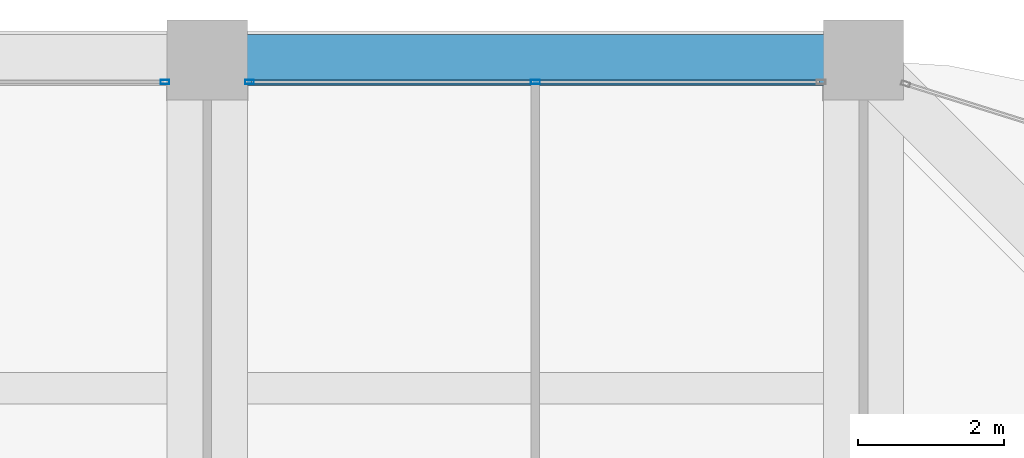
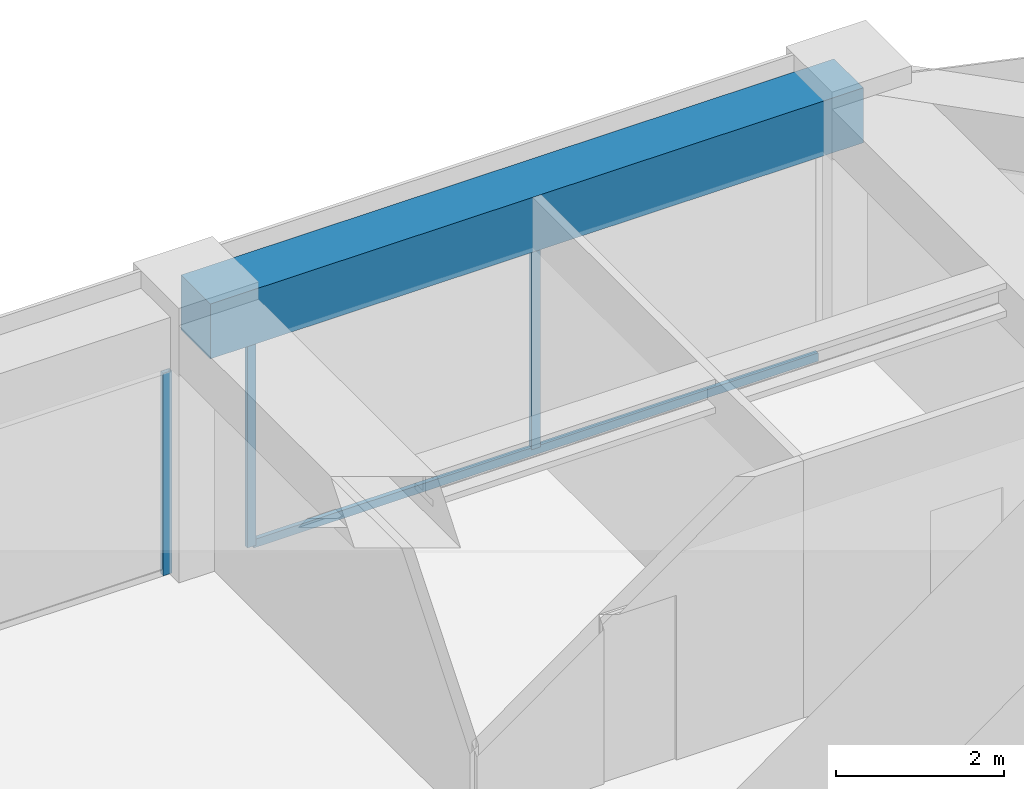
# One storey, part 35 of 44: 4 members, 1 beam, 2 elements without a shape of their own.
"""IFC4 building model written with IfcOpenShell, lengths in metres."""

from ifc_helpers import new_model, si_unit, direction, frame, origin, origin_2d, place, context, subcontext, project, spatial, rectangle, hollow_rectangle, extrude, material, material_profile, profile_set, type_object, element, aggregate, save


model = new_model("IFC4")

# Units and contexts
model_context = context("Model", 3, precision=1e-05, world=origin(), true_north=direction((0.0, 1.0)))
body_context = subcontext(model_context, "Body", "Model", "MODEL_VIEW")
ifc_project = project(units=[si_unit("LENGTHUNIT", "METRE"), si_unit("AREAUNIT", "SQUARE_METRE"), si_unit("VOLUMEUNIT", "CUBIC_METRE"), si_unit("PLANEANGLEUNIT", "RADIAN"), si_unit("MASSUNIT", "GRAM", prefix="KILO")], contexts=[model_context])

# Site, building, storey
site_placement = place(None, origin())
site = spatial("IfcSite", under=ifc_project, at=site_placement, CompositionType="ELEMENT")
building_placement = place(site_placement, origin())
building = spatial("IfcBuilding", under=site, at=building_placement, Name="Zorevar Civic Tower", CompositionType="ELEMENT")
storey_placement = place(building_placement, frame((0.0, 0.0, 283.39990234375)))
storey = spatial("IfcBuildingStorey", under=building, at=storey_placement, Name="L69", CompositionType="ELEMENT", Elevation=283.39990234375)

# Curtain wall, member
ifc_material_1 = material(Name="Dark grey solar-control glass in black aluminium frame", Category="aluminium")
curtain_wall_type = type_object("IfcCurtainWallType", Name="Curtain wall CW5 top zone", PredefinedType="NOTDEFINED", material=ifc_material_1)
curtain_wall_1_placement = place(storey_placement, origin())
curtain_wall_1 = element("IfcCurtainWall", 1, at=curtain_wall_1_placement, inside=storey, type_object=curtain_wall_type, Name="CW5 L69", PredefinedType="NOTDEFINED")
ifc_material_2 = material(Name="Aluminium, black anodised", Category="aluminium")
ifc_material_profile_1 = material_profile(ifc_material_2, hollow_rectangle(XDim=0.06005859375, YDim=0.1201171875, WallThickness=0.0029296875, at=origin_2d()), Name="AL 120x60x3")
ifc_profile_set_1 = profile_set([ifc_material_profile_1], Name="Aluminium, black anodised")
member_type_1 = type_object("IfcMemberType", Name="CW5 mullion AL 120x60x3", PredefinedType="MULLION", material=ifc_profile_set_1)
member_1_placement = place(storey_placement, frame((35.419921875, 44.699951171875, 0.0), z_axis=(0.0, 0.0, 1.0), x_axis=(0.0, 1.0, 0.0)))
member_1 = element("IfcMember", 2, at=member_1_placement, type_object=member_type_1, Name="CW5 mullion 3", PredefinedType="MULLION", context=body_context, shape_type="SweptSolid", body=[
    extrude(hollow_rectangle(XDim=0.06005859375, YDim=0.1201171875, WallThickness=0.0029296875, at=origin_2d()), origin(), (0.0, 0.0, 1.0), 2.9501953125),
])
aggregate(curtain_wall_1, [member_1])

# Curtain wall, members
curtain_wall_2_placement = place(storey_placement, origin())
curtain_wall_2 = element("IfcCurtainWall", 3, at=curtain_wall_2_placement, inside=storey, type_object=curtain_wall_type, Name="CW5 L69", PredefinedType="NOTDEFINED")
member_2_placement = place(storey_placement, frame((36.580078125, 44.699951171875, 0.0), z_axis=(0.0, 0.0, 1.0), x_axis=(0.0, 1.0, 0.0)))
member_2 = element("IfcMember", 4, at=member_2_placement, type_object=member_type_1, Name="CW5 mullion 1", PredefinedType="MULLION", context=body_context, shape_type="SweptSolid", body=[
    extrude(hollow_rectangle(XDim=0.06005859375, YDim=0.1201171875, WallThickness=0.0029296875, at=origin_2d()), origin(), (0.0, 0.0, 1.0), 2.9501953125),
])
member_3_placement = place(storey_placement, frame((40.5, 44.699951171875, 0.06005859375), z_axis=(0.0, 0.0, 1.0), x_axis=(0.0, 1.0, 0.0)))
member_3 = element("IfcMember", 5, at=member_3_placement, type_object=member_type_1, Name="CW5 mullion 2", PredefinedType="MULLION", context=body_context, shape_type="SweptSolid", body=[
    extrude(hollow_rectangle(XDim=0.06005859375, YDim=0.1201171875, WallThickness=0.0029296875, at=origin_2d()), origin(), (0.0, 0.0, 1.0), 2.89013671875),
])
ifc_material_3 = material(Name="Aluminium, black anodised", Category="aluminium")
ifc_material_profile_2 = material_profile(ifc_material_3, hollow_rectangle(XDim=0.06005859375, YDim=0.1201171875, WallThickness=0.0029296875, at=origin_2d()), Name="AL 120x60x3")
ifc_profile_set_2 = profile_set([ifc_material_profile_2], Name="Aluminium, black anodised")
member_type_2 = type_object("IfcMemberType", Name="CW5 transom AL 120x60x3", PredefinedType="USERDEFINED", material=ifc_profile_set_2)
member_4_placement = place(storey_placement, frame((36.610107421875, 44.699951171875, 0.030029296875), z_axis=(1.0, 0.0, 0.0), x_axis=(0.0, 1.0, 0.0)))
member_4 = element("IfcMember", 6, at=member_4_placement, type_object=member_type_2, Name="CW5 sill transom", ObjectType="TRANSOM", PredefinedType="USERDEFINED", context=body_context, shape_type="SweptSolid", body=[
    extrude(hollow_rectangle(XDim=0.06005859375, YDim=0.1201171875, WallThickness=0.0029296875, at=origin_2d()), origin(), (0.0, 0.0, 1.0), 7.77978515625),
])
aggregate(curtain_wall_2, [member_2, member_3, member_4])

# Beam
ifc_material_4 = material(Name="Concrete C50/60", Category="concrete")
ifc_material_profile_3 = material_profile(ifc_material_4, rectangle(XDim=0.699951171875, YDim=0.800048828125, at=origin_2d()), Name="RC 700x800")
ifc_profile_set_3 = profile_set([ifc_material_profile_3], Name="Concrete C50/60")
beam_type = type_object("IfcBeamType", Name="Edge beam RC 700x800", PredefinedType="SPANDREL", material=ifc_profile_set_3)
beam_placement = place(storey_placement, frame((36.0, 45.0, 3.35009765625), z_axis=(1.0, 0.0, 0.0), x_axis=(0.0, 1.0, 0.0)))
element("IfcBeam", 7, at=beam_placement, inside=storey, type_object=beam_type, Name="Edge beam L70", PredefinedType="SPANDREL", context=body_context, shape_type="SweptSolid", body=[
    extrude(rectangle(XDim=0.699951171875, YDim=0.800048828125, at=origin_2d()), origin(), (0.0, 0.0, 1.0), 9.0),
])

save(model, "model.ifc")
